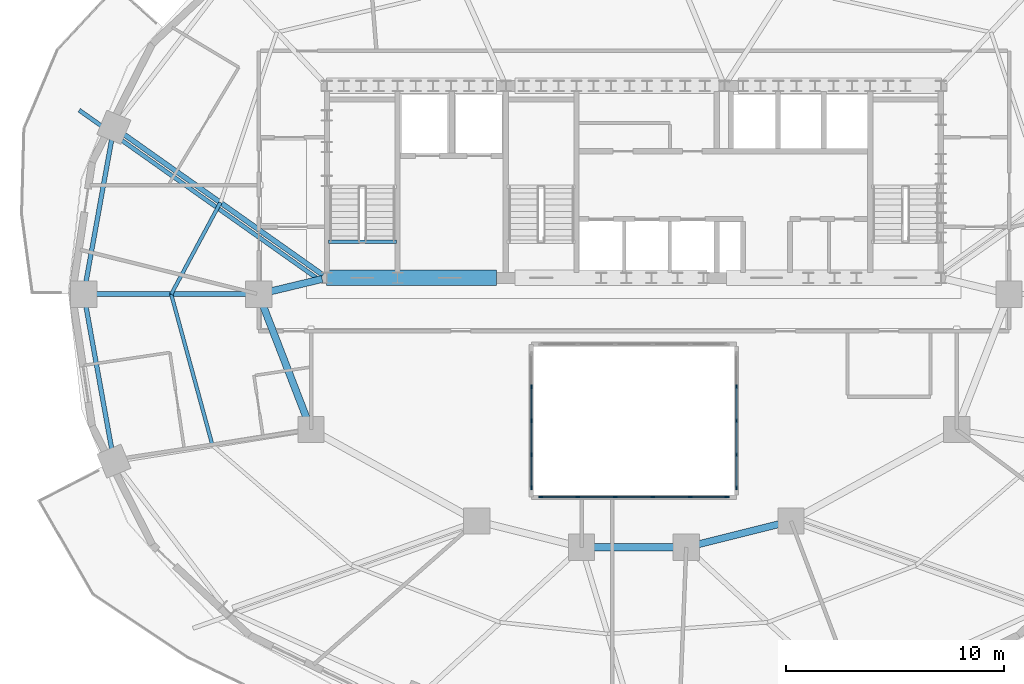
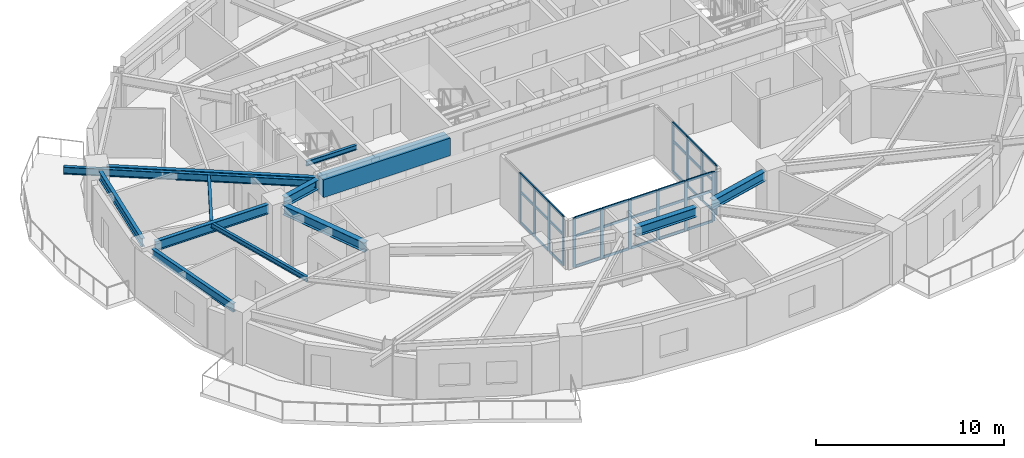
# One storey, part 2 of 12: 47 members, 13 beams, 3 elements without a shape of their own.
"""IFC4 building model written with IfcOpenShell, lengths in metres."""

from ifc_helpers import new_model, si_unit, direction, frame, origin, origin_2d, place, context, subcontext, project, spatial, rectangle, i_section, extrude, material, material_profile, profile_set, type_object, element, aggregate, save


model = new_model("IFC4")

# Units and contexts
model_context = context("Model", 3, precision=1e-05, world=origin(), true_north=direction((0.0, 1.0)))
body_context = subcontext(model_context, "Body", "Model", "MODEL_VIEW")
ifc_project = project(units=[si_unit("LENGTHUNIT", "METRE"), si_unit("AREAUNIT", "SQUARE_METRE"), si_unit("VOLUMEUNIT", "CUBIC_METRE"), si_unit("PLANEANGLEUNIT", "RADIAN"), si_unit("MASSUNIT", "GRAM", prefix="KILO")], contexts=[model_context])

# Site, building, storey
site_placement = place(None, origin())
site = spatial("IfcSite", under=ifc_project, at=site_placement, CompositionType="ELEMENT")
building_placement = place(site_placement, origin())
building = spatial("IfcBuilding", under=site, at=building_placement, Name="Haldorwick Loom Tower", CompositionType="ELEMENT")
storey_placement = place(building_placement, frame((0.0, 0.0, 154.449951171875)))
storey = spatial("IfcBuildingStorey", under=building, at=storey_placement, Name="L41", CompositionType="ELEMENT", Elevation=154.449951171875)

# Curtain wall, members
ifc_material_1 = material(Name="Thermally Broken Anodized Aluminium Curtain Wall Framing", Category="aluminium")
curtain_wall_type = type_object("IfcCurtainWallType", Name="ARC-CW-03", PredefinedType="NOTDEFINED", material=ifc_material_1)
curtain_wall_1_placement = place(storey_placement, origin())
curtain_wall_1 = element("IfcCurtainWall", 1, at=curtain_wall_1_placement, inside=storey, type_object=curtain_wall_type, Name="L41 Atrium Glazed Screen S", PredefinedType="NOTDEFINED")
ifc_material_profile_1 = material_profile(ifc_material_1, rectangle(XDim=0.06591796875, YDim=0.18505859375, at=origin_2d()), Name="ALU_MUL_66X185", Category="aluminium")
ifc_profile_set_1 = profile_set([ifc_material_profile_1], Name="Thermally Broken Anodized Aluminium Curtain Wall Framing")
member_type_1 = type_object("IfcMemberType", Name="ARC-CWM-03", PredefinedType="MULLION", material=ifc_profile_set_1)
member_1_placement = place(storey_placement, frame((40.26708984375, 16.699951171875, 0.0), z_axis=(0.0, 0.0, 1.0), x_axis=(0.0, -1.0, 0.0)))
member_1 = element("IfcMember", 2, at=member_1_placement, type_object=member_type_1, Name="CW-03 mullion 1", PredefinedType="MULLION", context=body_context, shape_type="SweptSolid", body=[
    extrude(rectangle(XDim=0.06591796875, YDim=0.18505859375, at=origin_2d()), origin(), (0.0, 0.0, 1.0), 3.2099609375),
])
member_2_placement = place(storey_placement, frame((38.580078125, 16.699951171875, 0.0), z_axis=(0.0, 0.0, 1.0), x_axis=(0.0, -1.0, 0.0)))
member_2 = element("IfcMember", 3, at=member_2_placement, type_object=member_type_1, Name="CW-03 mullion 2", PredefinedType="MULLION", context=body_context, shape_type="SweptSolid", body=[
    extrude(rectangle(XDim=0.06591796875, YDim=0.18505859375, at=origin_2d()), origin(), (0.0, 0.0, 1.0), 3.2099609375),
])
member_3_placement = place(storey_placement, frame((36.860107421875, 16.699951171875, 0.0), z_axis=(0.0, 0.0, 1.0), x_axis=(0.0, -1.0, 0.0)))
member_3 = element("IfcMember", 4, at=member_3_placement, type_object=member_type_1, Name="CW-03 mullion 3", PredefinedType="MULLION", context=body_context, shape_type="SweptSolid", body=[
    extrude(rectangle(XDim=0.06591796875, YDim=0.18505859375, at=origin_2d()), origin(), (0.0, 0.0, 1.0), 3.2099609375),
])
member_4_placement = place(storey_placement, frame((35.139892578125, 16.699951171875, 0.0), z_axis=(0.0, 0.0, 1.0), x_axis=(0.0, -1.0, 0.0)))
member_4 = element("IfcMember", 5, at=member_4_placement, type_object=member_type_1, Name="CW-03 mullion 4", PredefinedType="MULLION", context=body_context, shape_type="SweptSolid", body=[
    extrude(rectangle(XDim=0.06591796875, YDim=0.18505859375, at=origin_2d()), origin(), (0.0, 0.0, 1.0), 3.2099609375),
])
member_5_placement = place(storey_placement, frame((33.419921875, 16.699951171875, 0.0), z_axis=(0.0, 0.0, 1.0), x_axis=(0.0, -1.0, 0.0)))
member_5 = element("IfcMember", 6, at=member_5_placement, type_object=member_type_1, Name="CW-03 mullion 5", PredefinedType="MULLION", context=body_context, shape_type="SweptSolid", body=[
    extrude(rectangle(XDim=0.06591796875, YDim=0.18505859375, at=origin_2d()), origin(), (0.0, 0.0, 1.0), 3.2099609375),
])
member_6_placement = place(storey_placement, frame((31.73291015625, 16.699951171875, 0.0), z_axis=(0.0, 0.0, 1.0), x_axis=(0.0, -1.0, 0.0)))
member_6 = element("IfcMember", 7, at=member_6_placement, type_object=member_type_1, Name="CW-03 mullion 6", PredefinedType="MULLION", context=body_context, shape_type="SweptSolid", body=[
    extrude(rectangle(XDim=0.06591796875, YDim=0.18505859375, at=origin_2d()), origin(), (0.0, 0.0, 1.0), 3.2099609375),
])

curtain_wall_2_placement = place(storey_placement, origin())
curtain_wall_2 = element("IfcCurtainWall", 8, at=curtain_wall_2_placement, inside=storey, type_object=curtain_wall_type, Name="L41 Atrium Glazed Screen W", PredefinedType="NOTDEFINED")
member_7_placement = place(storey_placement, frame((31.300048828125, 17.133056640625, 0.0), z_axis=(0.0, 0.0, 1.0), x_axis=(-1.0, 0.0, 0.0)))
member_7 = element("IfcMember", 9, at=member_7_placement, type_object=member_type_1, Name="CW-03 mullion 1", PredefinedType="MULLION", context=body_context, shape_type="SweptSolid", body=[
    extrude(rectangle(XDim=0.06591796875, YDim=0.18505859375, at=origin_2d()), origin(), (0.0, 0.0, 1.0), 3.2099609375),
])
member_8_placement = place(storey_placement, frame((31.300048828125, 18.64990234375, 0.0), z_axis=(0.0, 0.0, 1.0), x_axis=(-1.0, 0.0, 0.0)))
member_8 = element("IfcMember", 10, at=member_8_placement, type_object=member_type_1, Name="CW-03 mullion 2", PredefinedType="MULLION", context=body_context, shape_type="SweptSolid", body=[
    extrude(rectangle(XDim=0.06591796875, YDim=0.18505859375, at=origin_2d()), origin(), (0.0, 0.0, 1.0), 3.2099609375),
])
member_9_placement = place(storey_placement, frame((31.300048828125, 20.199951171875, 0.0), z_axis=(0.0, 0.0, 1.0), x_axis=(-1.0, 0.0, 0.0)))
member_9 = element("IfcMember", 11, at=member_9_placement, type_object=member_type_1, Name="CW-03 mullion 3", PredefinedType="MULLION", context=body_context, shape_type="SweptSolid", body=[
    extrude(rectangle(XDim=0.06591796875, YDim=0.18505859375, at=origin_2d()), origin(), (0.0, 0.0, 1.0), 3.2099609375),
])
member_10_placement = place(storey_placement, frame((31.300048828125, 21.75, 0.0), z_axis=(0.0, 0.0, 1.0), x_axis=(-1.0, 0.0, 0.0)))
member_10 = element("IfcMember", 12, at=member_10_placement, type_object=member_type_1, Name="CW-03 mullion 4", PredefinedType="MULLION", context=body_context, shape_type="SweptSolid", body=[
    extrude(rectangle(XDim=0.06591796875, YDim=0.18505859375, at=origin_2d()), origin(), (0.0, 0.0, 1.0), 3.2099609375),
])

curtain_wall_3_placement = place(storey_placement, origin())
curtain_wall_3 = element("IfcCurtainWall", 13, at=curtain_wall_3_placement, inside=storey, type_object=curtain_wall_type, Name="L41 Atrium Glazed Screen E", PredefinedType="NOTDEFINED")
member_11_placement = place(storey_placement, frame((40.699951171875, 21.75, 0.0), z_axis=(0.0, 0.0, 1.0), x_axis=(1.0, 0.0, 0.0)))
member_11 = element("IfcMember", 14, at=member_11_placement, type_object=member_type_1, Name="CW-03 mullion 2", PredefinedType="MULLION", context=body_context, shape_type="SweptSolid", body=[
    extrude(rectangle(XDim=0.06591796875, YDim=0.18505859375, at=origin_2d()), origin(), (0.0, 0.0, 1.0), 3.2099609375),
])
member_12_placement = place(storey_placement, frame((40.699951171875, 20.199951171875, 0.0), z_axis=(0.0, 0.0, 1.0), x_axis=(1.0, 0.0, 0.0)))
member_12 = element("IfcMember", 15, at=member_12_placement, type_object=member_type_1, Name="CW-03 mullion 3", PredefinedType="MULLION", context=body_context, shape_type="SweptSolid", body=[
    extrude(rectangle(XDim=0.06591796875, YDim=0.18505859375, at=origin_2d()), origin(), (0.0, 0.0, 1.0), 3.2099609375),
])
member_13_placement = place(storey_placement, frame((40.699951171875, 18.64990234375, 0.0), z_axis=(0.0, 0.0, 1.0), x_axis=(1.0, 0.0, 0.0)))
member_13 = element("IfcMember", 16, at=member_13_placement, type_object=member_type_1, Name="CW-03 mullion 4", PredefinedType="MULLION", context=body_context, shape_type="SweptSolid", body=[
    extrude(rectangle(XDim=0.06591796875, YDim=0.18505859375, at=origin_2d()), origin(), (0.0, 0.0, 1.0), 3.2099609375),
])
member_14_placement = place(storey_placement, frame((40.699951171875, 17.133056640625, 0.0), z_axis=(0.0, 0.0, 1.0), x_axis=(1.0, 0.0, 0.0)))
member_14 = element("IfcMember", 17, at=member_14_placement, type_object=member_type_1, Name="CW-03 mullion 5", PredefinedType="MULLION", context=body_context, shape_type="SweptSolid", body=[
    extrude(rectangle(XDim=0.06591796875, YDim=0.18505859375, at=origin_2d()), origin(), (0.0, 0.0, 1.0), 3.2099609375),
])

# Member
ifc_material_profile_2 = material_profile(ifc_material_1, rectangle(XDim=0.06591796875, YDim=0.1650390625, at=origin_2d()), Name="ALU_TRN_66X165", Category="aluminium")
ifc_profile_set_2 = profile_set([ifc_material_profile_2], Name="Thermally Broken Anodized Aluminium Curtain Wall Framing")
member_type_2 = type_object("IfcMemberType", Name="ARC-CWT-03", PredefinedType="USERDEFINED", material=ifc_profile_set_2)
member_15_placement = place(storey_placement, frame((40.23388671875, 16.699951171875, 0.032958984375), z_axis=(-1.0, 0.0, 0.0), x_axis=(0.0, -1.0, 0.0)))
member_15 = element("IfcMember", 18, at=member_15_placement, type_object=member_type_2, Name="CW-03 transom 1.1", ObjectType="TRANSOM", PredefinedType="USERDEFINED", context=body_context, shape_type="SweptSolid", body=[
    extrude(rectangle(XDim=0.06591796875, YDim=0.1650390625, at=origin_2d()), origin(), (0.0, 0.0, 1.0), 1.620849609375),
])

member_16_placement = place(storey_placement, frame((40.23388671875, 16.699951171875, 2.0), z_axis=(-1.0, 0.0, 0.0), x_axis=(0.0, -1.0, 0.0)))
member_16 = element("IfcMember", 19, at=member_16_placement, type_object=member_type_2, Name="CW-03 transom 1.2", ObjectType="TRANSOM", PredefinedType="USERDEFINED", context=body_context, shape_type="SweptSolid", body=[
    extrude(rectangle(XDim=0.06591796875, YDim=0.1650390625, at=origin_2d()), origin(), (0.0, 0.0, 1.0), 1.620849609375),
])

member_17_placement = place(storey_placement, frame((40.23388671875, 16.699951171875, 3.177001953125), z_axis=(-1.0, 0.0, 0.0), x_axis=(0.0, -1.0, 0.0)))
member_17 = element("IfcMember", 20, at=member_17_placement, type_object=member_type_2, Name="CW-03 transom 1.3", ObjectType="TRANSOM", PredefinedType="USERDEFINED", context=body_context, shape_type="SweptSolid", body=[
    extrude(rectangle(XDim=0.06591796875, YDim=0.1650390625, at=origin_2d()), origin(), (0.0, 0.0, 1.0), 1.620849609375),
])

member_18_placement = place(storey_placement, frame((38.547119140625, 16.699951171875, 0.032958984375), z_axis=(-1.0, 0.0, 0.0), x_axis=(0.0, -1.0, 0.0)))
member_18 = element("IfcMember", 21, at=member_18_placement, type_object=member_type_2, Name="CW-03 transom 2.1", ObjectType="TRANSOM", PredefinedType="USERDEFINED", context=body_context, shape_type="SweptSolid", body=[
    extrude(rectangle(XDim=0.06591796875, YDim=0.1650390625, at=origin_2d()), origin(), (0.0, 0.0, 1.0), 1.654052734375),
])

member_19_placement = place(storey_placement, frame((38.547119140625, 16.699951171875, 2.0), z_axis=(-1.0, 0.0, 0.0), x_axis=(0.0, -1.0, 0.0)))
member_19 = element("IfcMember", 22, at=member_19_placement, type_object=member_type_2, Name="CW-03 transom 2.2", ObjectType="TRANSOM", PredefinedType="USERDEFINED", context=body_context, shape_type="SweptSolid", body=[
    extrude(rectangle(XDim=0.06591796875, YDim=0.1650390625, at=origin_2d()), origin(), (0.0, 0.0, 1.0), 1.654052734375),
])

member_20_placement = place(storey_placement, frame((38.547119140625, 16.699951171875, 3.177001953125), z_axis=(-1.0, 0.0, 0.0), x_axis=(0.0, -1.0, 0.0)))
member_20 = element("IfcMember", 23, at=member_20_placement, type_object=member_type_2, Name="CW-03 transom 2.3", ObjectType="TRANSOM", PredefinedType="USERDEFINED", context=body_context, shape_type="SweptSolid", body=[
    extrude(rectangle(XDim=0.06591796875, YDim=0.1650390625, at=origin_2d()), origin(), (0.0, 0.0, 1.0), 1.654052734375),
])

member_21_placement = place(storey_placement, frame((36.826904296875, 16.699951171875, 0.032958984375), z_axis=(-1.0, 0.0, 0.0), x_axis=(0.0, -1.0, 0.0)))
member_21 = element("IfcMember", 24, at=member_21_placement, type_object=member_type_2, Name="CW-03 transom 3.1", ObjectType="TRANSOM", PredefinedType="USERDEFINED", context=body_context, shape_type="SweptSolid", body=[
    extrude(rectangle(XDim=0.06591796875, YDim=0.1650390625, at=origin_2d()), origin(), (0.0, 0.0, 1.0), 1.65380859375),
])

member_22_placement = place(storey_placement, frame((36.826904296875, 16.699951171875, 2.0), z_axis=(-1.0, 0.0, 0.0), x_axis=(0.0, -1.0, 0.0)))
member_22 = element("IfcMember", 25, at=member_22_placement, type_object=member_type_2, Name="CW-03 transom 3.2", ObjectType="TRANSOM", PredefinedType="USERDEFINED", context=body_context, shape_type="SweptSolid", body=[
    extrude(rectangle(XDim=0.06591796875, YDim=0.1650390625, at=origin_2d()), origin(), (0.0, 0.0, 1.0), 1.65380859375),
])

member_23_placement = place(storey_placement, frame((36.826904296875, 16.699951171875, 3.177001953125), z_axis=(-1.0, 0.0, 0.0), x_axis=(0.0, -1.0, 0.0)))
member_23 = element("IfcMember", 26, at=member_23_placement, type_object=member_type_2, Name="CW-03 transom 3.3", ObjectType="TRANSOM", PredefinedType="USERDEFINED", context=body_context, shape_type="SweptSolid", body=[
    extrude(rectangle(XDim=0.06591796875, YDim=0.1650390625, at=origin_2d()), origin(), (0.0, 0.0, 1.0), 1.65380859375),
])

member_24_placement = place(storey_placement, frame((35.10693359375, 16.699951171875, 0.032958984375), z_axis=(-1.0, 0.0, 0.0), x_axis=(0.0, -1.0, 0.0)))
member_24 = element("IfcMember", 27, at=member_24_placement, type_object=member_type_2, Name="CW-03 transom 4.1", ObjectType="TRANSOM", PredefinedType="USERDEFINED", context=body_context, shape_type="SweptSolid", body=[
    extrude(rectangle(XDim=0.06591796875, YDim=0.1650390625, at=origin_2d()), origin(), (0.0, 0.0, 1.0), 1.654052734375),
])

member_25_placement = place(storey_placement, frame((35.10693359375, 16.699951171875, 2.0), z_axis=(-1.0, 0.0, 0.0), x_axis=(0.0, -1.0, 0.0)))
member_25 = element("IfcMember", 28, at=member_25_placement, type_object=member_type_2, Name="CW-03 transom 4.2", ObjectType="TRANSOM", PredefinedType="USERDEFINED", context=body_context, shape_type="SweptSolid", body=[
    extrude(rectangle(XDim=0.06591796875, YDim=0.1650390625, at=origin_2d()), origin(), (0.0, 0.0, 1.0), 1.654052734375),
])

member_26_placement = place(storey_placement, frame((35.10693359375, 16.699951171875, 3.177001953125), z_axis=(-1.0, 0.0, 0.0), x_axis=(0.0, -1.0, 0.0)))
member_26 = element("IfcMember", 29, at=member_26_placement, type_object=member_type_2, Name="CW-03 transom 4.3", ObjectType="TRANSOM", PredefinedType="USERDEFINED", context=body_context, shape_type="SweptSolid", body=[
    extrude(rectangle(XDim=0.06591796875, YDim=0.1650390625, at=origin_2d()), origin(), (0.0, 0.0, 1.0), 1.654052734375),
])

member_27_placement = place(storey_placement, frame((33.386962890625, 16.699951171875, 0.032958984375), z_axis=(-1.0, 0.0, 0.0), x_axis=(0.0, -1.0, 0.0)))
member_27 = element("IfcMember", 30, at=member_27_placement, type_object=member_type_2, Name="CW-03 transom 5.1", ObjectType="TRANSOM", PredefinedType="USERDEFINED", context=body_context, shape_type="SweptSolid", body=[
    extrude(rectangle(XDim=0.06591796875, YDim=0.1650390625, at=origin_2d()), origin(), (0.0, 0.0, 1.0), 1.620849609375),
])

member_28_placement = place(storey_placement, frame((33.386962890625, 16.699951171875, 2.0), z_axis=(-1.0, 0.0, 0.0), x_axis=(0.0, -1.0, 0.0)))
member_28 = element("IfcMember", 31, at=member_28_placement, type_object=member_type_2, Name="CW-03 transom 5.2", ObjectType="TRANSOM", PredefinedType="USERDEFINED", context=body_context, shape_type="SweptSolid", body=[
    extrude(rectangle(XDim=0.06591796875, YDim=0.1650390625, at=origin_2d()), origin(), (0.0, 0.0, 1.0), 1.620849609375),
])

member_29_placement = place(storey_placement, frame((33.386962890625, 16.699951171875, 3.177001953125), z_axis=(-1.0, 0.0, 0.0), x_axis=(0.0, -1.0, 0.0)))
member_29 = element("IfcMember", 32, at=member_29_placement, type_object=member_type_2, Name="CW-03 transom 5.3", ObjectType="TRANSOM", PredefinedType="USERDEFINED", context=body_context, shape_type="SweptSolid", body=[
    extrude(rectangle(XDim=0.06591796875, YDim=0.1650390625, at=origin_2d()), origin(), (0.0, 0.0, 1.0), 1.620849609375),
])

aggregate(curtain_wall_1, [member_1, member_2, member_3, member_4, member_5, member_6, member_15, member_16, member_17, member_18, member_19, member_20, member_21, member_22, member_23, member_24, member_25, member_26, member_27, member_28, member_29])

member_30_placement = place(storey_placement, frame((31.300048828125, 17.166015625, 0.032958984375), z_axis=(0.0, 1.0, 0.0), x_axis=(-1.0, 0.0, 0.0)))
member_30 = element("IfcMember", 33, at=member_30_placement, type_object=member_type_2, Name="CW-03 transom 1.1", ObjectType="TRANSOM", PredefinedType="USERDEFINED", context=body_context, shape_type="SweptSolid", body=[
    extrude(rectangle(XDim=0.06591796875, YDim=0.1650390625, at=origin_2d()), origin(), (0.0, 0.0, 1.0), 1.450927734375),
])

member_31_placement = place(storey_placement, frame((31.300048828125, 17.166015625, 2.0), z_axis=(0.0, 1.0, 0.0), x_axis=(-1.0, 0.0, 0.0)))
member_31 = element("IfcMember", 34, at=member_31_placement, type_object=member_type_2, Name="CW-03 transom 1.2", ObjectType="TRANSOM", PredefinedType="USERDEFINED", context=body_context, shape_type="SweptSolid", body=[
    extrude(rectangle(XDim=0.06591796875, YDim=0.1650390625, at=origin_2d()), origin(), (0.0, 0.0, 1.0), 1.450927734375),
])

member_32_placement = place(storey_placement, frame((31.300048828125, 17.166015625, 3.177001953125), z_axis=(0.0, 1.0, 0.0), x_axis=(-1.0, 0.0, 0.0)))
member_32 = element("IfcMember", 35, at=member_32_placement, type_object=member_type_2, Name="CW-03 transom 1.3", ObjectType="TRANSOM", PredefinedType="USERDEFINED", context=body_context, shape_type="SweptSolid", body=[
    extrude(rectangle(XDim=0.06591796875, YDim=0.1650390625, at=origin_2d()), origin(), (0.0, 0.0, 1.0), 1.450927734375),
])

member_33_placement = place(storey_placement, frame((31.300048828125, 18.68310546875, 0.032958984375), z_axis=(0.0, 1.0, 0.0), x_axis=(-1.0, 0.0, 0.0)))
member_33 = element("IfcMember", 36, at=member_33_placement, type_object=member_type_2, Name="CW-03 transom 2.1", ObjectType="TRANSOM", PredefinedType="USERDEFINED", context=body_context, shape_type="SweptSolid", body=[
    extrude(rectangle(XDim=0.06591796875, YDim=0.1650390625, at=origin_2d()), origin(), (0.0, 0.0, 1.0), 1.48388671875),
])

member_34_placement = place(storey_placement, frame((31.300048828125, 18.68310546875, 2.0), z_axis=(0.0, 1.0, 0.0), x_axis=(-1.0, 0.0, 0.0)))
member_34 = element("IfcMember", 37, at=member_34_placement, type_object=member_type_2, Name="CW-03 transom 2.2", ObjectType="TRANSOM", PredefinedType="USERDEFINED", context=body_context, shape_type="SweptSolid", body=[
    extrude(rectangle(XDim=0.06591796875, YDim=0.1650390625, at=origin_2d()), origin(), (0.0, 0.0, 1.0), 1.48388671875),
])

member_35_placement = place(storey_placement, frame((31.300048828125, 18.68310546875, 3.177001953125), z_axis=(0.0, 1.0, 0.0), x_axis=(-1.0, 0.0, 0.0)))
member_35 = element("IfcMember", 38, at=member_35_placement, type_object=member_type_2, Name="CW-03 transom 2.3", ObjectType="TRANSOM", PredefinedType="USERDEFINED", context=body_context, shape_type="SweptSolid", body=[
    extrude(rectangle(XDim=0.06591796875, YDim=0.1650390625, at=origin_2d()), origin(), (0.0, 0.0, 1.0), 1.48388671875),
])

member_36_placement = place(storey_placement, frame((31.300048828125, 20.23291015625, 0.032958984375), z_axis=(0.0, 1.0, 0.0), x_axis=(-1.0, 0.0, 0.0)))
member_36 = element("IfcMember", 39, at=member_36_placement, type_object=member_type_2, Name="CW-03 transom 3.1", ObjectType="TRANSOM", PredefinedType="USERDEFINED", context=body_context, shape_type="SweptSolid", body=[
    extrude(rectangle(XDim=0.06591796875, YDim=0.1650390625, at=origin_2d()), origin(), (0.0, 0.0, 1.0), 1.484130859375),
])

member_37_placement = place(storey_placement, frame((31.300048828125, 20.23291015625, 2.0), z_axis=(0.0, 1.0, 0.0), x_axis=(-1.0, 0.0, 0.0)))
member_37 = element("IfcMember", 40, at=member_37_placement, type_object=member_type_2, Name="CW-03 transom 3.2", ObjectType="TRANSOM", PredefinedType="USERDEFINED", context=body_context, shape_type="SweptSolid", body=[
    extrude(rectangle(XDim=0.06591796875, YDim=0.1650390625, at=origin_2d()), origin(), (0.0, 0.0, 1.0), 1.484130859375),
])

member_38_placement = place(storey_placement, frame((31.300048828125, 20.23291015625, 3.177001953125), z_axis=(0.0, 1.0, 0.0), x_axis=(-1.0, 0.0, 0.0)))
member_38 = element("IfcMember", 41, at=member_38_placement, type_object=member_type_2, Name="CW-03 transom 3.3", ObjectType="TRANSOM", PredefinedType="USERDEFINED", context=body_context, shape_type="SweptSolid", body=[
    extrude(rectangle(XDim=0.06591796875, YDim=0.1650390625, at=origin_2d()), origin(), (0.0, 0.0, 1.0), 1.484130859375),
])

aggregate(curtain_wall_2, [member_7, member_8, member_9, member_10, member_30, member_31, member_32, member_33, member_34, member_35, member_36, member_37, member_38])

member_39_placement = place(storey_placement, frame((40.699951171875, 21.717041015625, 0.032958984375), z_axis=(0.0, -1.0, 0.0), x_axis=(1.0, 0.0, 0.0)))
member_39 = element("IfcMember", 42, at=member_39_placement, type_object=member_type_2, Name="CW-03 transom 2.1", ObjectType="TRANSOM", PredefinedType="USERDEFINED", context=body_context, shape_type="SweptSolid", body=[
    extrude(rectangle(XDim=0.06591796875, YDim=0.1650390625, at=origin_2d()), origin(), (0.0, 0.0, 1.0), 1.484130859375),
])

member_40_placement = place(storey_placement, frame((40.699951171875, 21.717041015625, 2.0), z_axis=(0.0, -1.0, 0.0), x_axis=(1.0, 0.0, 0.0)))
member_40 = element("IfcMember", 43, at=member_40_placement, type_object=member_type_2, Name="CW-03 transom 2.2", ObjectType="TRANSOM", PredefinedType="USERDEFINED", context=body_context, shape_type="SweptSolid", body=[
    extrude(rectangle(XDim=0.06591796875, YDim=0.1650390625, at=origin_2d()), origin(), (0.0, 0.0, 1.0), 1.484130859375),
])

member_41_placement = place(storey_placement, frame((40.699951171875, 21.717041015625, 3.177001953125), z_axis=(0.0, -1.0, 0.0), x_axis=(1.0, 0.0, 0.0)))
member_41 = element("IfcMember", 44, at=member_41_placement, type_object=member_type_2, Name="CW-03 transom 2.3", ObjectType="TRANSOM", PredefinedType="USERDEFINED", context=body_context, shape_type="SweptSolid", body=[
    extrude(rectangle(XDim=0.06591796875, YDim=0.1650390625, at=origin_2d()), origin(), (0.0, 0.0, 1.0), 1.484130859375),
])

member_42_placement = place(storey_placement, frame((40.699951171875, 20.1669921875, 0.032958984375), z_axis=(0.0, -1.0, 0.0), x_axis=(1.0, 0.0, 0.0)))
member_42 = element("IfcMember", 45, at=member_42_placement, type_object=member_type_2, Name="CW-03 transom 3.1", ObjectType="TRANSOM", PredefinedType="USERDEFINED", context=body_context, shape_type="SweptSolid", body=[
    extrude(rectangle(XDim=0.06591796875, YDim=0.1650390625, at=origin_2d()), origin(), (0.0, 0.0, 1.0), 1.48388671875),
])

member_43_placement = place(storey_placement, frame((40.699951171875, 20.1669921875, 2.0), z_axis=(0.0, -1.0, 0.0), x_axis=(1.0, 0.0, 0.0)))
member_43 = element("IfcMember", 46, at=member_43_placement, type_object=member_type_2, Name="CW-03 transom 3.2", ObjectType="TRANSOM", PredefinedType="USERDEFINED", context=body_context, shape_type="SweptSolid", body=[
    extrude(rectangle(XDim=0.06591796875, YDim=0.1650390625, at=origin_2d()), origin(), (0.0, 0.0, 1.0), 1.48388671875),
])

member_44_placement = place(storey_placement, frame((40.699951171875, 20.1669921875, 3.177001953125), z_axis=(0.0, -1.0, 0.0), x_axis=(1.0, 0.0, 0.0)))
member_44 = element("IfcMember", 47, at=member_44_placement, type_object=member_type_2, Name="CW-03 transom 3.3", ObjectType="TRANSOM", PredefinedType="USERDEFINED", context=body_context, shape_type="SweptSolid", body=[
    extrude(rectangle(XDim=0.06591796875, YDim=0.1650390625, at=origin_2d()), origin(), (0.0, 0.0, 1.0), 1.48388671875),
])

member_45_placement = place(storey_placement, frame((40.699951171875, 18.616943359375, 0.032958984375), z_axis=(0.0, -1.0, 0.0), x_axis=(1.0, 0.0, 0.0)))
member_45 = element("IfcMember", 48, at=member_45_placement, type_object=member_type_2, Name="CW-03 transom 4.1", ObjectType="TRANSOM", PredefinedType="USERDEFINED", context=body_context, shape_type="SweptSolid", body=[
    extrude(rectangle(XDim=0.06591796875, YDim=0.1650390625, at=origin_2d()), origin(), (0.0, 0.0, 1.0), 1.450927734375),
])

member_46_placement = place(storey_placement, frame((40.699951171875, 18.616943359375, 2.0), z_axis=(0.0, -1.0, 0.0), x_axis=(1.0, 0.0, 0.0)))
member_46 = element("IfcMember", 49, at=member_46_placement, type_object=member_type_2, Name="CW-03 transom 4.2", ObjectType="TRANSOM", PredefinedType="USERDEFINED", context=body_context, shape_type="SweptSolid", body=[
    extrude(rectangle(XDim=0.06591796875, YDim=0.1650390625, at=origin_2d()), origin(), (0.0, 0.0, 1.0), 1.450927734375),
])

member_47_placement = place(storey_placement, frame((40.699951171875, 18.616943359375, 3.177001953125), z_axis=(0.0, -1.0, 0.0), x_axis=(1.0, 0.0, 0.0)))
member_47 = element("IfcMember", 50, at=member_47_placement, type_object=member_type_2, Name="CW-03 transom 4.3", ObjectType="TRANSOM", PredefinedType="USERDEFINED", context=body_context, shape_type="SweptSolid", body=[
    extrude(rectangle(XDim=0.06591796875, YDim=0.1650390625, at=origin_2d()), origin(), (0.0, 0.0, 1.0), 1.450927734375),
])

aggregate(curtain_wall_3, [member_11, member_12, member_13, member_14, member_39, member_40, member_41, member_42, member_43, member_44, member_45, member_46, member_47])

# Beams
ifc_material_2 = material(Name="Steel CSA G40.21 350W", Category="steel")
ifc_material_profile_3 = material_profile(ifc_material_2, i_section(OverallWidth=0.193115234375, OverallDepth=0.466064453125, WebThickness=0.011474609375, FlangeThickness=0.01904296875, at=origin_2d()), Name="W460X97", Category="steel")
ifc_profile_set_3 = profile_set([ifc_material_profile_3], Name="Steel CSA G40.21 350W")
beam_type_1 = type_object("IfcBeamType", Name="STR-BM-BAL460", PredefinedType="BEAM", material=ifc_profile_set_3)
beam_1_placement = place(storey_placement, frame((21.584716796875, 26.651123046875, 2.97705078125), z_axis=(-0.816570288691, 0.577246016554, 0.0), x_axis=(-0.577246016554, -0.816570288691, 0.0)))
element("IfcBeam", 51, at=beam_1_placement, inside=storey, type_object=beam_type_1, Name="L41 Continuous Back-Spanned Balcony Beam 3", PredefinedType="BEAM", context=body_context, shape_type="SweptSolid", body=[
    extrude(i_section(OverallWidth=0.193115234375, OverallDepth=0.466064453125, WebThickness=0.011474609375, FlangeThickness=0.01904296875, at=origin_2d()), origin(), (0.0, 0.0, 1.0), 13.485107421875),
])
ifc_material_3 = material(Name="Concrete C60 (60 MPa)", Category="concrete")
ifc_material_profile_4 = material_profile(ifc_material_3, rectangle(XDim=0.699951171875, YDim=1.14990234375, at=origin_2d()), Name="RC700X1150", Category="concrete")
ifc_profile_set_4 = profile_set([ifc_material_profile_4], Name="Concrete C60 (60 MPa)")
beam_type_2 = type_object("IfcBeamType", Name="STR-BM-CB1150", PredefinedType="LINTEL", material=ifc_profile_set_4)
beam_2_placement = place(storey_placement, frame((21.89990234375, 26.75, 2.635009765625), z_axis=(1.0, 0.0, 0.0), x_axis=(0.0, 1.0, 0.0)))
element("IfcBeam", 52, at=beam_2_placement, inside=storey, type_object=beam_type_2, Name="L41 Core Coupling Beam CB-S1", PredefinedType="LINTEL", context=body_context, shape_type="SweptSolid", body=[
    extrude(rectangle(XDim=0.699951171875, YDim=1.14990234375, at=origin_2d()), origin(), (0.0, 0.0, 1.0), 7.800048828125),
])
ifc_material_profile_5 = material_profile(ifc_material_2, i_section(OverallWidth=0.166015625, OverallDepth=0.31298828125, WebThickness=0.006591796875, FlangeThickness=0.01123046875, at=origin_2d()), Name="W310X45", Category="steel")
ifc_profile_set_5 = profile_set([ifc_material_profile_5], Name="Steel CSA G40.21 350W")
beam_type_3 = type_object("IfcBeamType", Name="STR-BM-J310", PredefinedType="JOIST", material=ifc_profile_set_5)
beam_3_placement = place(storey_placement, frame((17.046875, 30.201904296875, 3.053466796875), z_axis=(-0.472930162238, -0.881099915813, 0.0), x_axis=(0.881099915813, -0.472930162238, 0.0)))
element("IfcBeam", 53, at=beam_3_placement, inside=storey, type_object=beam_type_3, Name="L41 Mid-Bay Secondary Joist 8", PredefinedType="JOIST", context=body_context, shape_type="SweptSolid", body=[
    extrude(i_section(OverallWidth=0.166015625, OverallDepth=0.31298828125, WebThickness=0.006591796875, FlangeThickness=0.01123046875, at=origin_2d()), origin(), (0.0, 0.0, 1.0), 4.76904296875),
])
beam_4_placement = place(storey_placement, frame((14.79150390625, 26.0, 3.053466796875), z_axis=(0.263272762578, -0.964721437766, 0.0), x_axis=(0.964721437766, 0.263272762578, 0.0)))
element("IfcBeam", 54, at=beam_4_placement, inside=storey, type_object=beam_type_3, Name="L41 Mid-Bay Secondary Joist 9", PredefinedType="JOIST", context=body_context, shape_type="SweptSolid", body=[
    extrude(i_section(OverallWidth=0.166015625, OverallDepth=0.31298828125, WebThickness=0.006591796875, FlangeThickness=0.01123046875, at=origin_2d()), origin(), (0.0, 0.0, 1.0), 7.180419921875),
])
ifc_material_profile_6 = material_profile(ifc_material_2, i_section(OverallWidth=0.2119140625, OverallDepth=0.5439453125, WebThickness=0.01318359375, FlangeThickness=0.021240234375, at=origin_2d()), Name="W530X123", Category="steel")
ifc_profile_set_6 = profile_set([ifc_material_profile_6], Name="Steel CSA G40.21 350W")
beam_type_4 = type_object("IfcBeamType", Name="STR-BM-SP530", PredefinedType="SPANDREL", material=ifc_profile_set_6)
for number, where, z_axis, x_axis, name in (
    (55, (12.071533203125, 33.14208984375, 2.93798828125), (-0.177558730702, -0.984110205796, 0.0), (0.984110205796, -0.177558730702, 0.0), "L41 Perimeter Spandrel 8"),
    (56, (10.875244140625, 25.48828125, 2.93798828125), (0.177558730702, -0.984110205796, 0.0), (0.984110205796, 0.177558730702, 0.0), "L41 Perimeter Spandrel 9"),
):
    element("IfcBeam", number, at=place(storey_placement, frame(where, z_axis=z_axis, x_axis=x_axis)), inside=storey, type_object=beam_type_4, Name=name, PredefinedType="SPANDREL", context=body_context, shape_type="SweptSolid", body=[
        extrude(i_section(OverallWidth=0.2119140625, OverallDepth=0.5439453125, WebThickness=0.01318359375, FlangeThickness=0.021240234375, at=origin_2d()), origin(), (0.0, 0.0, 1.0), 6.737548828125),
    ])
ifc_material_profile_7 = material_profile(ifc_material_2, i_section(OverallWidth=0.166015625, OverallDepth=0.31298828125, WebThickness=0.006591796875, FlangeThickness=0.01123046875, at=origin_2d()), Name="W310X45", Category="steel")
ifc_profile_set_7 = profile_set([ifc_material_profile_7], Name="Steel CSA G40.21 350W")
beam_type_5 = type_object("IfcBeamType", Name="STR-BM-STRM", PredefinedType="BEAM", material=ifc_profile_set_7)
beam_5_placement = place(storey_placement, frame((21.989990234375, 28.39990234375, 3.053466796875), z_axis=(1.0, 0.0, 0.0), x_axis=(0.0, 1.0, 0.0)))
element("IfcBeam", 57, at=beam_5_placement, inside=storey, type_object=beam_type_5, Name="L41 Stair ST-01 Landing Edge Trimmer", PredefinedType="BEAM", context=body_context, shape_type="SweptSolid", body=[
    extrude(i_section(OverallWidth=0.166015625, OverallDepth=0.31298828125, WebThickness=0.006591796875, FlangeThickness=0.01123046875, at=origin_2d()), origin(), (0.0, 0.0, 1.0), 3.1201171875),
])
ifc_material_profile_8 = material_profile(ifc_material_2, i_section(OverallWidth=0.324951171875, OverallDepth=0.615966796875, WebThickness=0.013916015625, FlangeThickness=0.021484375, at=origin_2d()), Name="W610X174", Category="steel")
ifc_profile_set_8 = profile_set([ifc_material_profile_8], Name="Steel CSA G40.21 350W")
beam_type_6 = type_object("IfcBeamType", Name="STR-BM-W610A", PredefinedType="BEAM", material=ifc_profile_set_8)
beam_6_placement = place(storey_placement, frame((42.695556640625, 15.473876953125, 2.902099609375), z_axis=(-0.970142500145, -0.242535625036, 0.0), x_axis=(0.242535625036, -0.970142500145, 0.0)))
element("IfcBeam", 58, at=beam_6_placement, inside=storey, type_object=beam_type_6, Name="L41 Inner Ring Girder 4", PredefinedType="BEAM", context=body_context, shape_type="SweptSolid", body=[
    extrude(i_section(OverallWidth=0.324951171875, OverallDepth=0.615966796875, WebThickness=0.013916015625, FlangeThickness=0.021484375, at=origin_2d()), origin(), (0.0, 0.0, 1.0), 3.90771484375),
])
beam_7_placement = place(storey_placement, frame((37.8798828125, 14.39990234375, 2.902099609375), z_axis=(-1.0, 0.0, 0.0), x_axis=(0.0, -1.0, 0.0)))
element("IfcBeam", 59, at=beam_7_placement, inside=storey, type_object=beam_type_6, Name="L41 Inner Ring Girder 5", PredefinedType="BEAM", context=body_context, shape_type="SweptSolid", body=[
    extrude(i_section(OverallWidth=0.324951171875, OverallDepth=0.615966796875, WebThickness=0.013916015625, FlangeThickness=0.021484375, at=origin_2d()), origin(), (0.0, 0.0, 1.0), 3.759765625),
])
beam_8_placement = place(storey_placement, frame((21.01220703125, 20.284912109375, 2.902099609375), z_axis=(-0.360964792353, 0.93257944363, 0.0), x_axis=(-0.93257944363, -0.360964792353, 0.0)))
element("IfcBeam", 60, at=beam_8_placement, inside=storey, type_object=beam_type_6, Name="L41 Inner Ring Girder 8", PredefinedType="BEAM", context=body_context, shape_type="SweptSolid", body=[
    extrude(i_section(OverallWidth=0.324951171875, OverallDepth=0.615966796875, WebThickness=0.013916015625, FlangeThickness=0.021484375, at=origin_2d()), origin(), (0.0, 0.0, 1.0), 5.6083984375),
])
beam_9_placement = place(storey_placement, frame((19.3056640625, 26.12109375, 2.902099609375), z_axis=(0.97247055837, 0.233025777764, 0.0), x_axis=(-0.233025777764, 0.97247055837, 0.0)))
element("IfcBeam", 61, at=beam_9_placement, inside=storey, type_object=beam_type_6, Name="L41 Inner Ring Girder 9", PredefinedType="BEAM", context=body_context, shape_type="SweptSolid", body=[
    extrude(i_section(OverallWidth=0.324951171875, OverallDepth=0.615966796875, WebThickness=0.013916015625, FlangeThickness=0.021484375, at=origin_2d()), origin(), (0.0, 0.0, 1.0), 2.4736328125),
])
ifc_material_profile_9 = material_profile(ifc_material_2, i_section(OverallWidth=0.22998046875, OverallDepth=0.616943359375, WebThickness=0.01318359375, FlangeThickness=0.022216796875, at=origin_2d()), Name="W610X140", Category="steel")
ifc_profile_set_9 = profile_set([ifc_material_profile_9], Name="Steel CSA G40.21 350W")
beam_type_7 = type_object("IfcBeamType", Name="STR-BM-W610B", PredefinedType="BEAM", material=ifc_profile_set_9)
beam_10_placement = place(storey_placement, frame((21.746337890625, 26.8798828125, 2.901611328125), z_axis=(-0.816581567299, 0.577230061542, 0.0), x_axis=(-0.577230061542, -0.816581567299, 0.0)))
element("IfcBeam", 62, at=beam_10_placement, inside=storey, type_object=beam_type_7, Name="L41 Radial Floor Girder 8", PredefinedType="BEAM", context=body_context, shape_type="SweptSolid", body=[
    extrude(i_section(OverallWidth=0.22998046875, OverallDepth=0.616943359375, WebThickness=0.01318359375, FlangeThickness=0.022216796875, at=origin_2d()), origin(), (0.0, 0.0, 1.0), 11.215087890625),
])
beam_11_placement = place(storey_placement, frame((18.280029296875, 26.0, 2.901611328125), z_axis=(-1.0, 0.0, 0.0), x_axis=(0.0, -1.0, 0.0)))
element("IfcBeam", 63, at=beam_11_placement, inside=storey, type_object=beam_type_7, Name="L41 Radial Floor Girder 9", PredefinedType="BEAM", context=body_context, shape_type="SweptSolid", body=[
    extrude(i_section(OverallWidth=0.22998046875, OverallDepth=0.616943359375, WebThickness=0.01318359375, FlangeThickness=0.022216796875, at=origin_2d()), origin(), (0.0, 0.0, 1.0), 6.97705078125),
])

save(model, "model.ifc")
